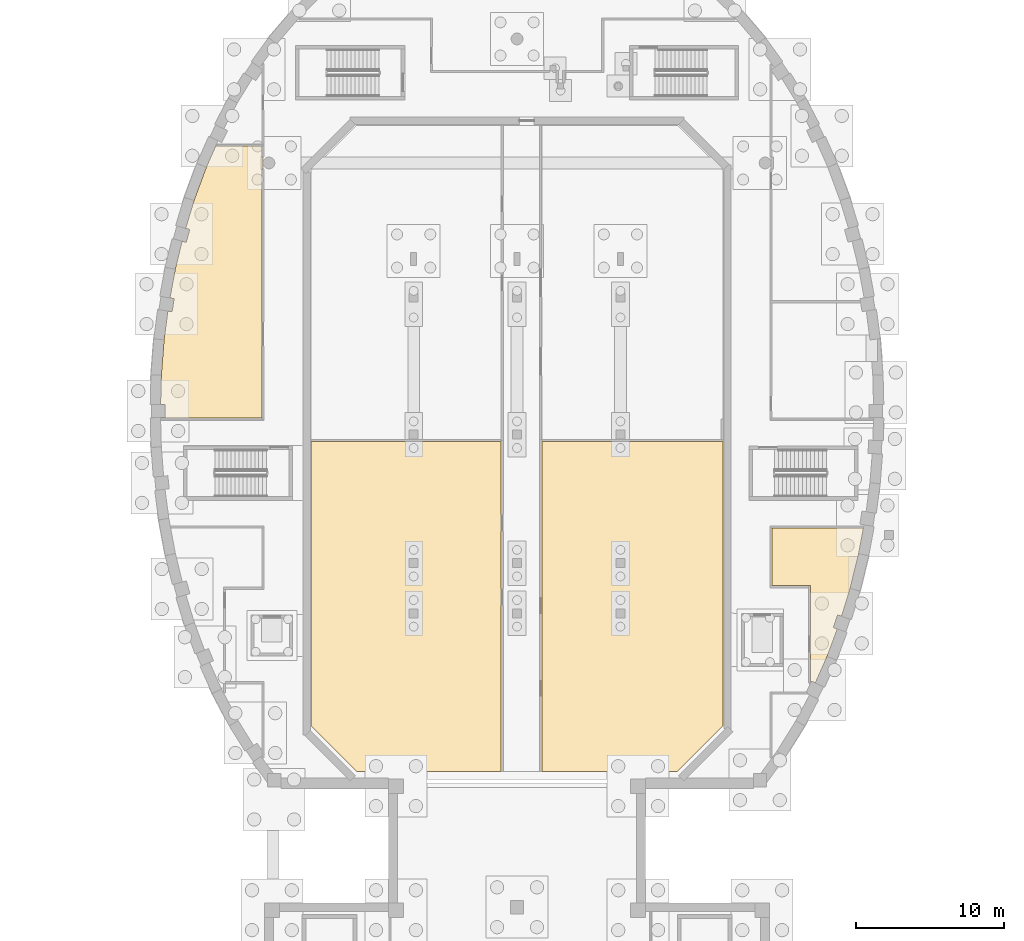
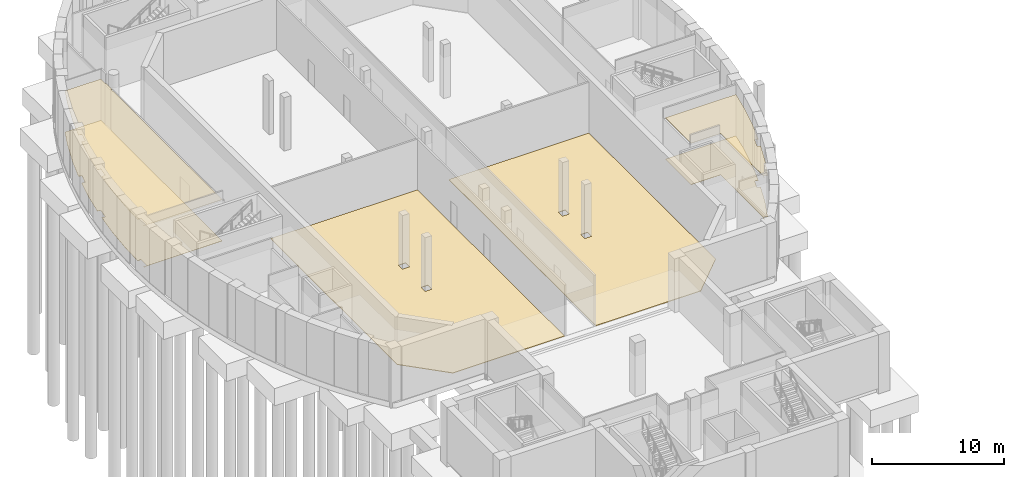
# One storey, part 28 of 33: 6 coverings.
"""IFC4 building model written with IfcOpenShell, lengths in metres."""

from ifc_helpers import new_model, si_unit, direction, frame, origin, place, context, subcontext, project, spatial, polyline, outline, extrude, material, layer, layer_set, type_object, element, save


model = new_model("IFC4")

# Units and contexts
model_context = context("Model", 3, precision=1e-05, world=origin(), true_north=direction((0.0, 1.0)))
body_context = subcontext(model_context, "Body", "Model", "MODEL_VIEW")
ifc_project = project(units=[si_unit("LENGTHUNIT", "METRE"), si_unit("AREAUNIT", "SQUARE_METRE"), si_unit("VOLUMEUNIT", "CUBIC_METRE"), si_unit("PLANEANGLEUNIT", "RADIAN"), si_unit("MASSUNIT", "GRAM", prefix="KILO")], contexts=[model_context])

# Site, building, storey
site_placement = place(None, origin())
site = spatial("IfcSite", under=ifc_project, at=site_placement, CompositionType="ELEMENT")
building_placement = place(site_placement, origin())
building = spatial("IfcBuilding", under=site, at=building_placement, Name="Larchfold Concert Hall", CompositionType="ELEMENT")
storey_placement = place(building_placement, frame((0.0, 0.0, -5.0)))
storey = spatial("IfcBuildingStorey", under=building, at=storey_placement, Name="B1", CompositionType="ELEMENT", Elevation=-5.0)

# Coverings
ifc_material_1 = material(Name="Mineral fibre ceiling tile")
ifc_layer_1 = layer(ifc_material_1, 0.02001953125)
ifc_layer_set_1 = layer_set([ifc_layer_1], Name="Mineral fibre ceiling tile")
covering_type_1 = type_object("IfcCoveringType", Name="Ceiling mineral fibre tile 20", PredefinedType="CEILING", material=ifc_layer_set_1)
covering_1_placement = place(storey_placement, frame((0.0, 0.0, 3.830078125)))
element("IfcCovering", 1, at=covering_1_placement, inside=storey, type_object=covering_type_1, Name="Ceiling Hall Store 02", PredefinedType="CEILING", context=body_context, shape_type="SweptSolid", body=[
    extrude(outline(polyline([(62.400146484375, 66.178955078125), (62.400146484375, 66.0224609375), (62.53955078125, 66.310302734375), (62.796142578125, 66.185791015625), (63.59912109375, 67.988525390625), (64.289794921875, 69.84423828125), (64.0185546875, 69.935791015625), (64.306884765625, 70.78857421875), (64.578369140625, 70.69677734375), (65.15673828125, 72.58642578125), (65.733642578125, 74.94677734375), (66.056640625, 76.675048828125), (59.875, 76.675048828125), (59.875, 72.77490234375), (62.474853515625, 72.77490234375), (62.474853515625, 66.178955078125), (62.400146484375, 66.178955078125)])), origin(), (0.0, 0.0, 1.0), 0.02001953125),
])
ifc_material_2 = material(Name="Plasterboard ceiling lining")
ifc_layer_2 = layer(ifc_material_2, 0.030029296875)
ifc_layer_set_2 = layer_set([ifc_layer_2], Name="Plasterboard ceiling lining")
covering_type_2 = type_object("IfcCoveringType", Name="Ceiling suspended plasterboard 30", PredefinedType="CEILING", material=ifc_layer_set_2)
covering_2_placement = place(storey_placement, frame((0.0, 0.0, 3.820068359375)))
element("IfcCovering", 2, at=covering_2_placement, inside=storey, type_object=covering_type_2, Name="Ceiling Cloakroom", PredefinedType="CEILING", context=body_context, shape_type="SweptSolid", body=[
    extrude(outline(polyline([(18.464599609375, 84.050048828125), (18.465087890625, 84.112548828125), (25.33740234375, 84.112548828125), (25.336669921875, 100.97998046875), (25.3994140625, 100.97998046875), (25.3994140625, 101.81982421875), (25.33642578125, 101.81982421875), (25.33642578125, 102.550048828125), (22.23388671875, 102.550048828125), (22.23388671875, 102.60009765625), (22.21826171875, 102.60009765625), (21.561767578125, 101.114501953125), (20.725341796875, 98.85107421875), (20.154052734375, 96.969970703125), (20.4306640625, 96.89453125), (20.19384765625, 96.0263671875), (19.9169921875, 96.101806640625), (19.453857421875, 94.194580078125), (19.09521484375, 92.260986328125), (19.37939453125, 92.216064453125), (19.239013671875, 91.3271484375), (18.95458984375, 91.3720703125), (18.699951171875, 89.42431640625), (18.512451171875, 87.015625), (18.4619140625, 85.050048828125), (18.75, 85.050048828125), (18.75, 84.150146484375), (18.4619140625, 84.150146484375), (18.464599609375, 84.050048828125)])), origin(), (0.0, 0.0, 1.0), 0.030029296875),
])
ifc_material_3 = material(Name="Sealed cement screed")
ifc_layer_3 = layer(ifc_material_3, 0.050048828125)
ifc_layer_set_3 = layer_set([ifc_layer_3], Name="Sealed cement screed")
covering_type_3 = type_object("IfcCoveringType", Name="Floor finish sealed screed 50", PredefinedType="FLOORING", material=ifc_layer_set_3)
covering_3_placement = place(storey_placement, origin())
element("IfcCovering", 3, at=covering_3_placement, inside=storey, type_object=covering_type_3, Name="Floor finish Hall Plant Room 03", PredefinedType="FLOORING", context=body_context, shape_type="SweptSolid", body=[
    extrude(outline(polyline([(44.27490234375, 60.199951171875), (53.47216796875, 60.199951171875), (56.550048828125, 63.27783203125), (56.550048828125, 82.52392578125), (44.27490234375, 82.525146484375), (44.27490234375, 60.199951171875)]), holes=[polyline([(49.300048828125, 71.199951171875), (49.900146484375, 71.199951171875), (49.900146484375, 70.599853515625), (49.300048828125, 70.599853515625), (49.300048828125, 71.199951171875)]), polyline([(49.300048828125, 74.60009765625), (49.900146484375, 74.60009765625), (49.900146484375, 74.0), (49.300048828125, 74.0), (49.300048828125, 74.60009765625)])]), origin(), (0.0, 0.0, 1.0), 0.050048828125),
])
covering_4_placement = place(storey_placement, origin())
element("IfcCovering", 4, at=covering_4_placement, inside=storey, type_object=covering_type_3, Name="Floor finish Hall Plant Room 01", PredefinedType="FLOORING", context=body_context, shape_type="SweptSolid", body=[
    extrude(outline(polyline([(41.52490234375, 82.525146484375), (28.650146484375, 82.528076171875), (28.650146484375, 63.27783203125), (31.727783203125, 60.199951171875), (41.525146484375, 60.199951171875), (41.525146484375, 82.60009765625), (41.52490234375, 82.525146484375)]), holes=[polyline([(35.300048828125, 71.199951171875), (35.900146484375, 71.199951171875), (35.900146484375, 70.599853515625), (35.300048828125, 70.599853515625), (35.300048828125, 71.199951171875)]), polyline([(35.300048828125, 74.60009765625), (35.900146484375, 74.60009765625), (35.900146484375, 74.0), (35.300048828125, 74.0), (35.300048828125, 74.60009765625)])]), origin(), (0.0, 0.0, 1.0), 0.050048828125),
])
ifc_material_4 = material(Name="Linoleum sheet")
ifc_layer_4 = layer(ifc_material_4, 0.02001953125)
ifc_layer_set_4 = layer_set([ifc_layer_4], Name="Linoleum sheet")
covering_type_4 = type_object("IfcCoveringType", Name="Floor finish vinyl 20", PredefinedType="FLOORING", material=ifc_layer_set_4)
covering_5_placement = place(storey_placement, origin())
element("IfcCovering", 5, at=covering_5_placement, inside=storey, type_object=covering_type_4, Name="Floor finish Hall Store 02", PredefinedType="FLOORING", context=body_context, shape_type="SweptSolid", body=[
    extrude(outline(polyline([(62.400146484375, 66.178955078125), (62.400146484375, 66.0224609375), (62.53955078125, 66.310302734375), (62.796142578125, 66.185791015625), (63.59912109375, 67.988525390625), (64.289794921875, 69.84423828125), (64.0185546875, 69.935791015625), (64.306884765625, 70.78857421875), (64.578369140625, 70.69677734375), (65.15673828125, 72.58642578125), (65.733642578125, 74.94677734375), (66.056640625, 76.675048828125), (59.875, 76.675048828125), (59.875, 72.77490234375), (62.474853515625, 72.77490234375), (62.474853515625, 66.178955078125), (62.400146484375, 66.178955078125)])), origin(), (0.0, 0.0, 1.0), 0.02001953125),
])
covering_6_placement = place(storey_placement, origin())
element("IfcCovering", 6, at=covering_6_placement, inside=storey, type_object=covering_type_4, Name="Floor finish Cloakroom", PredefinedType="FLOORING", context=body_context, shape_type="SweptSolid", body=[
    extrude(outline(polyline([(18.464599609375, 84.050048828125), (18.465087890625, 84.112548828125), (25.33740234375, 84.112548828125), (25.336669921875, 100.97998046875), (25.3994140625, 100.97998046875), (25.3994140625, 101.81982421875), (25.33642578125, 101.81982421875), (25.33642578125, 102.550048828125), (22.23388671875, 102.550048828125), (22.23388671875, 102.60009765625), (22.21826171875, 102.60009765625), (21.561767578125, 101.114501953125), (20.725341796875, 98.85107421875), (20.154052734375, 96.969970703125), (20.4306640625, 96.89453125), (20.19384765625, 96.0263671875), (19.9169921875, 96.101806640625), (19.453857421875, 94.194580078125), (19.09521484375, 92.260986328125), (19.37939453125, 92.216064453125), (19.239013671875, 91.3271484375), (18.95458984375, 91.3720703125), (18.699951171875, 89.42431640625), (18.512451171875, 87.015625), (18.4619140625, 85.050048828125), (18.75, 85.050048828125), (18.75, 84.150146484375), (18.4619140625, 84.150146484375), (18.464599609375, 84.050048828125)])), origin(), (0.0, 0.0, 1.0), 0.02001953125),
])

save(model, "model.ifc")
